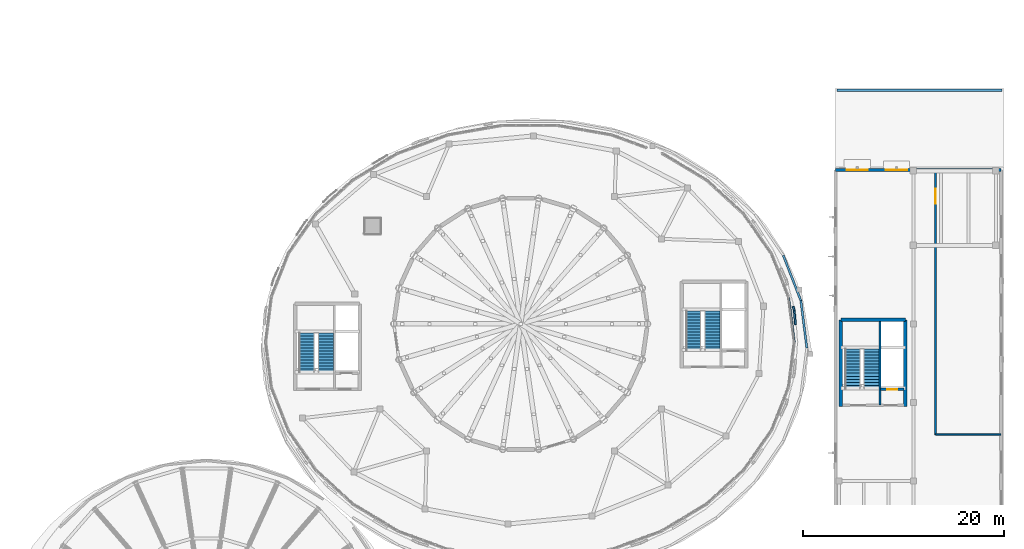
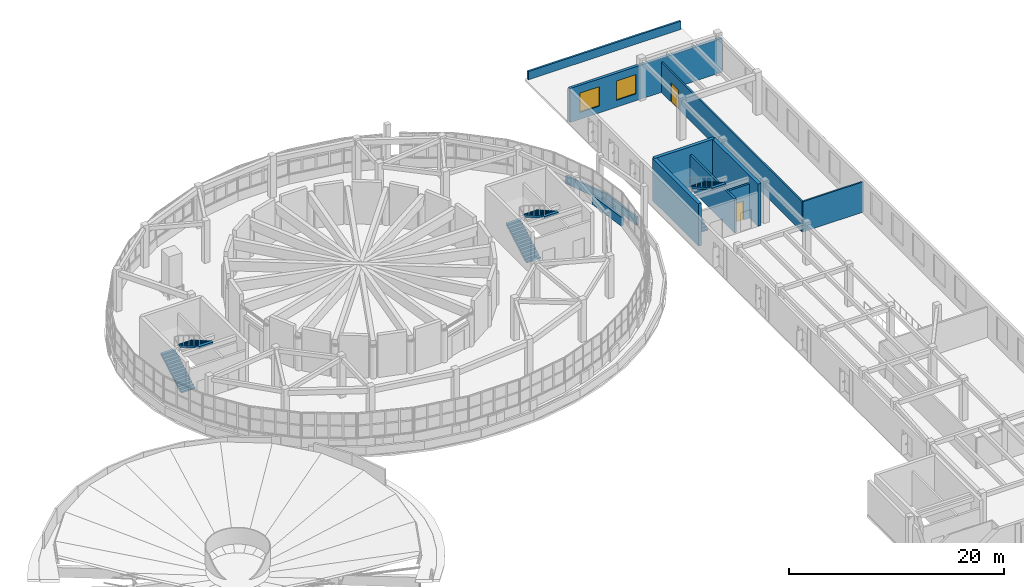
# One storey, part 63 of 69: 14 walls, 6 stair flights, 2 doors, 2 windows, 4 openings, 3 elements without a shape of their own.
"""IFC4 building model written with IfcOpenShell, lengths in metres."""

from ifc_helpers import new_model, si_unit, direction, frame, frame_2d, origin, place, context, subcontext, project, spatial, polyline, rectangle, outline, extrude, material, layer, layer_set, type_object, element, fill, aggregate, save


model = new_model("IFC4")

# Units and contexts
model_context = context("Model", 3, precision=1e-05, world=origin(), true_north=direction((0.0, 1.0)))
body_context = subcontext(model_context, "Body", "Model", "MODEL_VIEW")
ifc_project = project(units=[si_unit("LENGTHUNIT", "METRE"), si_unit("AREAUNIT", "SQUARE_METRE"), si_unit("VOLUMEUNIT", "CUBIC_METRE"), si_unit("PLANEANGLEUNIT", "RADIAN"), si_unit("MASSUNIT", "GRAM", prefix="KILO")], contexts=[model_context])

# Site, building, storey
site_placement = place(None, origin())
site = spatial("IfcSite", under=ifc_project, at=site_placement, CompositionType="ELEMENT")
building_placement = place(site_placement, origin())
building = spatial("IfcBuilding", under=site, at=building_placement, Name="Pelvatis Terrace Science Centre", CompositionType="ELEMENT")
storey_placement = place(building_placement, frame((0.0, 0.0, 15.0)))
storey = spatial("IfcBuildingStorey", under=building, at=storey_placement, Name="L03", CompositionType="ELEMENT", Elevation=15.0)

# Wall, openings, windows
ifc_material_1 = material(Name="Precast concrete C35/45 architectural stone", Category="masonry")
ifc_layer_1 = layer(ifc_material_1, 0.294921875)
ifc_layer_set_1 = layer_set([ifc_layer_1], Name="Precast concrete C35/45 architectural stone")
wall_type_1 = type_object("IfcWallType", Name="WL-EXT-PREC-295", PredefinedType="SOLIDWALL", material=ifc_layer_set_1)
wall_1_placement = place(storey_placement, frame((140.47998046875, 101.10009765625, 0.0), z_axis=(0.0, 0.0, 1.0), x_axis=(1.0, 0.0, 0.0)))
wall_1 = element("IfcWall", 1, at=wall_1_placement, inside=storey, type_object=wall_type_1, Name="Exterior classical Art Deco facade wall EW-L03-N", PredefinedType="SOLIDWALL", context=body_context, shape_type="SweptSolid", body=[
    extrude(rectangle(XDim=16.419921875, YDim=0.294921875, at=frame_2d((8.2099609375, 0.0))), origin(), (0.0, 0.0, 1.0), 3.8701171875),
])
opening_1_placement = place(wall_1_placement, frame((1.10009765625, 0.0, 0.780029296875)))
opening_1 = element("IfcOpeningElement", 2, at=opening_1_placement, cuts=wall_1, Name="Opening W-114", PredefinedType="OPENING", context=body_context, shape_type="SweptSolid", body=[
    extrude(rectangle(XDim=2.10009765625, YDim=2.199951171875, at=frame_2d((1.050048828125, 1.10009765625))), frame((0.0, 0.157470703125, 0.0), z_axis=(0.0, -1.0, 0.0), x_axis=(1.0, 0.0, 0.0)), (0.0, 0.0, 1.0), 0.31494140625),
])
opening_2_placement = place(wall_1_placement, frame((5.0, 0.0, 0.780029296875)))
opening_2 = element("IfcOpeningElement", 3, at=opening_2_placement, cuts=wall_1, Name="Opening W-115", PredefinedType="OPENING", context=body_context, shape_type="SweptSolid", body=[
    extrude(rectangle(XDim=2.10009765625, YDim=2.199951171875, at=frame_2d((1.050048828125, 1.10009765625))), frame((0.0, 0.157470703125, 0.0), z_axis=(0.0, -1.0, 0.0), x_axis=(1.0, 0.0, 0.0)), (0.0, 0.0, 1.0), 0.31494140625),
])
ifc_material_2 = material(Name="Bronze-anodised aluminium and laminated low-e glass", Category="aluminium")
window_type = type_object("IfcWindowType", Name="WIN-GAL-2100x2200", PartitioningType="SINGLE_PANEL", PredefinedType="WINDOW", material=ifc_material_2)
window_1_placement = place(opening_1_placement, origin())
window_1 = element("IfcWindow", 4, at=window_1_placement, inside=storey, type_object=window_type, Name="Art Deco facade window W-114 (L03)", OverallHeight=2.199951171875, OverallWidth=2.10009765625, PartitioningType="SINGLE_PANEL", PredefinedType="WINDOW", context=body_context, shape_type="SweptSolid", body=[
    extrude(rectangle(XDim=2.10009765625, YDim=2.199951171875, at=frame_2d((1.050048828125, 1.10009765625))), frame((0.0, 0.030029296875, 0.0), z_axis=(0.0, -1.0, 0.0), x_axis=(1.0, 0.0, 0.0)), (0.0, 0.0, 1.0), 0.06005859375),
])
fill(opening_1, window_1)
window_2_placement = place(opening_2_placement, origin())
window_2 = element("IfcWindow", 5, at=window_2_placement, inside=storey, type_object=window_type, Name="Art Deco facade window W-115 (L03)", OverallHeight=2.199951171875, OverallWidth=2.10009765625, PartitioningType="SINGLE_PANEL", PredefinedType="WINDOW", context=body_context, shape_type="SweptSolid", body=[
    extrude(rectangle(XDim=2.10009765625, YDim=2.199951171875, at=frame_2d((1.050048828125, 1.10009765625))), frame((0.0, 0.030029296875, 0.0), z_axis=(0.0, -1.0, 0.0), x_axis=(1.0, 0.0, 0.0)), (0.0, 0.0, 1.0), 0.06005859375),
])
fill(opening_2, window_2)

# Walls
ifc_material_3 = material(Name="White architectural precast concrete C40/50 spandrel", Category="concrete")
ifc_layer_2 = layer(ifc_material_3, 0.27490234375)
ifc_layer_set_2 = layer_set([ifc_layer_2], Name="White architectural precast concrete C40/50 spandrel")
wall_type_2 = type_object("IfcWallType", Name="WL-EXT-SPND-275", PredefinedType="SOLIDWALL", material=ifc_layer_set_2)
wall_2_placement = place(storey_placement, frame((136.35009765625, 84.0, 0.0), z_axis=(0.0, 0.0, 1.0), x_axis=(-0.126438143935, 0.991974493502, 0.0)))
element("IfcWall", 6, at=wall_2_placement, inside=storey, type_object=wall_type_2, Name="V1 white spiral spandrel band 01 (L03)", PredefinedType="SOLIDWALL", context=body_context, shape_type="SweptSolid", body=[
    extrude(rectangle(XDim=4.53759765625, YDim=0.27490234375, at=frame_2d((2.268798828125, 0.0))), origin(), (0.0, 0.0, 1.0), 1.02001953125),
])
ifc_material_4 = material(Name="Concrete C35/45 shaft dividing wall", Category="concrete")
ifc_layer_3 = layer(ifc_material_4, 0.2099609375)
ifc_layer_set_3 = layer_set([ifc_layer_3], Name="Concrete C35/45 shaft dividing wall")
wall_type_3 = type_object("IfcWallType", Name="WL-INT-CORE-210", PredefinedType="PARTITIONING", material=ifc_layer_set_3)
wall_3_placement = place(storey_placement, frame((144.89990234375, 77.75, 0.0), z_axis=(0.0, 0.0, 1.0), x_axis=(0.0, 1.0, 0.0)))
element("IfcWall", 7, at=wall_3_placement, inside=storey, type_object=wall_type_3, Name="Core C3 stair-lift shaft fire wall (L03)", PredefinedType="PARTITIONING", context=body_context, shape_type="SweptSolid", body=[
    extrude(rectangle(XDim=8.300048828125, YDim=0.2099609375, at=frame_2d((4.14990234375, 0.0))), origin(), (0.0, 0.0, 1.0), 3.8701171875),
])

# Wall, opening, door
ifc_material_5 = material(Name="Concrete C35/45 stair enclosure wall", Category="concrete")
ifc_layer_4 = layer(ifc_material_5, 0.22509765625)
ifc_layer_set_4 = layer_set([ifc_layer_4], Name="Concrete C35/45 stair enclosure wall")
wall_type_4 = type_object("IfcWallType", Name="WL-INT-CORE-225", PredefinedType="PARTITIONING", material=ifc_layer_set_4)
wall_4_placement = place(storey_placement, frame((144.949951171875, 79.300048828125, 0.0), z_axis=(0.0, 0.0, 1.0), x_axis=(1.0, 0.0, 0.0)))
wall_4 = element("IfcWall", 8, at=wall_4_placement, inside=storey, type_object=wall_type_4, Name="Core C3 lift shaft landing wall (L03)", PredefinedType="PARTITIONING", context=body_context, shape_type="SweptSolid", body=[
    extrude(rectangle(XDim=2.300048828125, YDim=0.22509765625, at=frame_2d((1.14990234375, 0.0))), origin(), (0.0, 0.0, 1.0), 3.8701171875),
])
opening_3_placement = place(wall_4_placement, frame((0.64990234375, 0.0, 0.0)))
opening_3 = element("IfcOpeningElement", 9, at=opening_3_placement, cuts=wall_4, Name="Opening LD-C3-5", PredefinedType="OPENING", context=body_context, shape_type="SweptSolid", body=[
    extrude(rectangle(XDim=1.0, YDim=2.14990234375, at=frame_2d((0.5, 1.074951171875))), frame((0.0, 0.12255859375, 0.0), z_axis=(0.0, -1.0, 0.0), x_axis=(1.0, 0.0, 0.0)), (0.0, 0.0, 1.0), 0.2451171875),
])
ifc_material_6 = material(Name="Bronze-clad sliding passenger lift landing door", Category="steel")
door_type_1 = type_object("IfcDoorType", Name="DR-LIFT-1000x2150", OperationType="NOTDEFINED", PredefinedType="DOOR", material=ifc_material_6)
door_1_placement = place(opening_3_placement, origin())
door_1 = element("IfcDoor", 10, at=door_1_placement, inside=storey, type_object=door_type_1, Name="Lift LF-05 sliding landing door (L03)", OperationType="SLIDING_TO_LEFT", OverallHeight=2.14990234375, OverallWidth=1.0, PredefinedType="DOOR", context=body_context, shape_type="SweptSolid", body=[
    extrude(rectangle(XDim=1.0, YDim=2.14990234375, at=frame_2d((0.5, 1.074951171875))), frame((0.0, 0.02490234375, 0.0), z_axis=(0.0, -1.0, 0.0), x_axis=(1.0, 0.0, 0.0)), (0.0, 0.0, 1.0), 0.050048828125),
])
fill(opening_3, door_1)

# Wall
ifc_material_7 = material(Name="Dry studio acoustic partition", Category="masonry")
ifc_layer_5 = layer(ifc_material_7, 0.1650390625)
ifc_layer_set_5 = layer_set([ifc_layer_5], Name="Dry studio acoustic partition")
wall_type_5 = type_object("IfcWallType", Name="WL-INT-LAB-165", PredefinedType="PARTITIONING", material=ifc_layer_set_5)
wall_5_placement = place(storey_placement, frame((150.39990234375, 74.800048828125, 0.0), z_axis=(0.0, 0.0, 1.0), x_axis=(1.0, 0.0, 0.0)))
element("IfcWall", 11, at=wall_5_placement, inside=storey, type_object=wall_type_5, Name="Curatorial Research Offices and Exhibit Design Studio partition wall S", PredefinedType="PARTITIONING", context=body_context, shape_type="SweptSolid", body=[
    extrude(rectangle(XDim=6.5, YDim=0.1650390625, at=frame_2d((3.25, 0.0))), origin(), (0.0, 0.0, 1.0), 3.449951171875),
])

# Wall, opening, door
wall_6_placement = place(storey_placement, frame((150.39990234375, 101.10009765625, 0.0), z_axis=(0.0, 0.0, 1.0), x_axis=(0.0, -1.0, 0.0)))
wall_6 = element("IfcWall", 12, at=wall_6_placement, inside=storey, type_object=wall_type_5, Name="Curatorial Research Offices and Exhibit Design Studio partition wall W", PredefinedType="PARTITIONING", context=body_context, shape_type="SweptSolid", body=[
    extrude(rectangle(XDim=26.300048828125, YDim=0.1650390625, at=frame_2d((13.14990234375, 0.0))), origin(), (0.0, 0.0, 1.0), 3.449951171875),
])
opening_4_placement = place(wall_6_placement, frame((1.903076171875, 0.0, 0.0)))
opening_4 = element("IfcOpeningElement", 13, at=opening_4_placement, cuts=wall_6, Name="Opening D-212", PredefinedType="OPENING", context=body_context, shape_type="SweptSolid", body=[
    extrude(rectangle(XDim=1.449951171875, YDim=2.199951171875, at=frame_2d((0.72509765625, 1.10009765625))), frame((0.0, 0.092529296875, 0.0), z_axis=(0.0, -1.0, 0.0), x_axis=(1.0, 0.0, 0.0)), (0.0, 0.0, 1.0), 0.18505859375),
])
ifc_material_8 = material(Name="Leaf-and-a-half dry studio door", Category="wood")
door_type_2 = type_object("IfcDoorType", Name="DR-LAB-1450x2200", OperationType="NOTDEFINED", PredefinedType="DOOR", material=ifc_material_8)
door_2_placement = place(opening_4_placement, origin())
door_2 = element("IfcDoor", 14, at=door_2_placement, inside=storey, type_object=door_type_2, Name="Curatorial Research Offices and Exhibit Design Studio entrance door", OperationType="SINGLE_SWING_LEFT", OverallHeight=2.199951171875, OverallWidth=1.449951171875, PredefinedType="DOOR", context=body_context, shape_type="SweptSolid", body=[
    extrude(rectangle(XDim=1.449951171875, YDim=2.199951171875, at=frame_2d((0.72509765625, 1.10009765625))), frame((0.0, 0.02490234375, 0.0), z_axis=(0.0, -1.0, 0.0), x_axis=(1.0, 0.0, 0.0)), (0.0, 0.0, 1.0), 0.050048828125),
])
fill(opening_4, door_2)

# Walls
ifc_material_9 = material(Name="White architectural precast concrete C40/50 spandrel parapet", Category="concrete")
ifc_layer_6 = layer(ifc_material_9, 0.18994140625)
ifc_layer_set_6 = layer_set([ifc_layer_6], Name="White architectural precast concrete C40/50 spandrel parapet")
wall_type_6 = type_object("IfcWallType", Name="WL-PAR-190", PredefinedType="PARAPET", material=ifc_layer_set_6)
wall_7_placement = place(storey_placement, frame((136.259033203125, 87.542724609375, 0.0), z_axis=(0.0, 0.0, 1.0), x_axis=(0.25449329928, -0.967074537263, 0.0)))
element("IfcWall", 15, at=wall_7_placement, inside=storey, type_object=wall_type_6, Name="Perimeter edge closure parapet PW-EDG-L03-356", PredefinedType="PARAPET", context=body_context, shape_type="SweptSolid", body=[
    extrude(rectangle(XDim=0.4365234375, YDim=0.18994140625, at=frame_2d((0.21826171875, 0.0))), origin(), (0.0, 0.0, 1.0), 1.1201171875),
])
wall_8_placement = place(storey_placement, frame((136.3701171875, 87.12060546875, 0.0), z_axis=(0.0, 0.0, 1.0), x_axis=(0.086013495657, -0.996293971961, 0.0)))
element("IfcWall", 16, at=wall_8_placement, inside=storey, type_object=wall_type_6, Name="Perimeter edge closure parapet PW-EDG-L03-357", PredefinedType="PARAPET", context=body_context, shape_type="SweptSolid", body=[
    extrude(rectangle(XDim=1.402099609375, YDim=0.18994140625, at=frame_2d((0.701171875, 0.0))), origin(), (0.0, 0.0, 1.0), 1.1201171875),
])
ifc_material_10 = material(Name="White architectural precast concrete C40/50 spandrel parapet", Category="concrete")
ifc_layer_7 = layer(ifc_material_10, 0.205078125)
ifc_layer_set_7 = layer_set([ifc_layer_7], Name="White architectural precast concrete C40/50 spandrel parapet")
wall_type_7 = type_object("IfcWallType", Name="WL-PAR-205", PredefinedType="PARAPET", material=ifc_layer_set_7)
wall_9_placement = place(storey_placement, frame((137.6201171875, 83.39990234375, 0.0), z_axis=(0.0, 0.0, 1.0), x_axis=(-0.124592562567, 0.992207988958, 0.0)))
element("IfcWall", 17, at=wall_9_placement, inside=storey, type_object=wall_type_7, Name="White spiral ring parapet PW-CRV-L03-075", PredefinedType="PARAPET", context=body_context, shape_type="SweptSolid", body=[
    extrude(rectangle(XDim=4.739990234375, YDim=0.205078125, at=frame_2d((2.3701171875, 0.0))), origin(), (0.0, 0.0, 1.0), 0.919921875),
])
wall_10_placement = place(storey_placement, frame((137.029541015625, 88.10302734375, 0.0), z_axis=(0.0, 0.0, 1.0), x_axis=(-0.361842966646, 0.93223906134, 0.0)))
element("IfcWall", 18, at=wall_10_placement, inside=storey, type_object=wall_type_7, Name="White spiral ring parapet PW-CRV-L03-076", PredefinedType="PARAPET", context=body_context, shape_type="SweptSolid", body=[
    extrude(rectangle(XDim=4.82421875, YDim=0.205078125, at=frame_2d((2.412109375, 0.0))), origin(), (0.0, 0.0, 1.0), 0.919921875),
])
wall_11_placement = place(storey_placement, frame((140.60009765625, 109.0, 0.0), z_axis=(0.0, 0.0, 1.0), x_axis=(1.0, 0.0, 0.0)))
element("IfcWall", 19, at=wall_11_placement, inside=storey, type_object=wall_type_7, Name="Classical cornice parapet PW-L03-2", PredefinedType="PARAPET", context=body_context, shape_type="SweptSolid", body=[
    extrude(rectangle(XDim=16.39990234375, YDim=0.205078125, at=frame_2d((8.199951171875, 0.0))), origin(), (0.0, 0.0, 1.0), 0.949951171875),
])
ifc_material_11 = material(Name="Concrete C40/50", Category="concrete")
ifc_layer_8 = layer(ifc_material_11, 0.35009765625)
ifc_layer_set_8 = layer_set([ifc_layer_8], Name="Concrete C40/50")
wall_type_8 = type_object("IfcWallType", Name="WL-SHR-350", PredefinedType="SHEAR", material=ifc_layer_set_8)
wall_12_placement = place(storey_placement, frame((141.0, 86.199951171875, 0.0), z_axis=(0.0, 0.0, 1.0), x_axis=(1.0, 0.0, 0.0)))
element("IfcWall", 20, at=wall_12_placement, inside=storey, type_object=wall_type_8, Name="Core C3 shear wall N (L03)", PredefinedType="SHEAR", context=body_context, shape_type="SweptSolid", body=[
    extrude(rectangle(XDim=6.39990234375, YDim=0.35009765625, at=frame_2d((3.199951171875, 0.0))), origin(), (0.0, 0.0, 1.0), 4.800048828125),
])
for number, where, z_axis, x_axis, name in (
    (21, (141.0, 77.60009765625, 0.0), (0.0, 0.0, 1.0), (0.0, 1.0, 0.0), "Core C3 shear wall W (L03)"),
    (22, (147.39990234375, 77.60009765625, 0.0), (0.0, 0.0, 1.0), (0.0, 1.0, 0.0), "Core C3 shear wall E (L03)"),
):
    element("IfcWall", number, at=place(storey_placement, frame(where, z_axis=z_axis, x_axis=x_axis)), inside=storey, type_object=wall_type_8, Name=name, PredefinedType="SHEAR", context=body_context, shape_type="SweptSolid", body=[
        extrude(rectangle(XDim=8.599853515625, YDim=0.35009765625, at=frame_2d((4.2998046875, 0.0))), origin(), (0.0, 0.0, 1.0), 4.800048828125),
    ])

# Stair, stair flights
ifc_material_12 = material(Name="Concrete C35/45", Category="concrete")
stair_type = type_object("IfcStairType", Name="STR-2RUN-1500-48", PredefinedType="TWO_STRAIGHT_RUN_STAIR", material=ifc_material_12)
stair_1_placement = place(storey_placement, origin())
stair_1 = element("IfcStair", 23, at=stair_1_placement, inside=storey, type_object=stair_type, Name="Protected core stair ST-01-L03", PredefinedType="TWO_STRAIGHT_RUN_STAIR")
ifc_material_13 = material(Name="Concrete C35/45", Category="concrete")
ifc_layer_9 = layer(ifc_material_13, 0.179931640625)
ifc_layer_set_9 = layer_set([ifc_layer_9], Name="Concrete C35/45")
stair_flight_type = type_object("IfcStairFlightType", Name="SFL-RC-1500", PredefinedType="STRAIGHT", material=ifc_layer_set_9)
stair_flight_1_placement = place(storey_placement, frame((87.949951171875, 81.0, 0.0), z_axis=(0.0, 0.0, 1.0), x_axis=(0.0, 1.0, 0.0)))
stair_flight_1 = element("IfcStairFlight", 24, at=stair_flight_1_placement, type_object=stair_flight_type, Name="ST-01-L03 flight 1", NumberOfRisers=14, NumberOfTreads=13, PredefinedType="STRAIGHT", RiserHeight=0.171428571, TreadLength=0.3, context=body_context, shape_type="SweptSolid", body=[
    extrude(outline(polyline([(0.0, 0.0), (0.0, 0.17138671875), (0.300048828125, 0.17138671875), (0.300048828125, 0.3427734375), (0.60009765625, 0.3427734375), (0.60009765625, 0.514404296875), (0.89990234375, 0.514404296875), (0.89990234375, 0.685791015625), (1.199951171875, 0.685791015625), (1.199951171875, 0.857177734375), (1.5, 0.857177734375), (1.5, 1.028564453125), (1.800048828125, 1.028564453125), (1.800048828125, 1.199951171875), (2.10009765625, 1.199951171875), (2.10009765625, 1.371337890625), (2.39990234375, 1.371337890625), (2.39990234375, 1.54296875), (2.699951171875, 1.54296875), (2.699951171875, 1.71435546875), (3.0, 1.71435546875), (3.0, 1.8857421875), (3.300048828125, 1.8857421875), (3.300048828125, 2.05712890625), (3.60009765625, 2.05712890625), (3.60009765625, 2.228515625), (3.89990234375, 2.228515625), (3.89990234375, 2.39990234375), (3.89990234375, 2.021240234375), (0.362548828125, 0.0), (0.0, 0.0)])), frame((0.0, 0.75, 0.0), z_axis=(0.0, -1.0, 0.0), x_axis=(1.0, 0.0, 0.0)), (0.0, 0.0, 1.0), 1.5),
])
stair_flight_2_placement = place(storey_placement, frame((89.85009765625, 84.89990234375, 2.39990234375), z_axis=(0.0, 0.0, 1.0), x_axis=(0.0, -1.0, 0.0)))
stair_flight_2 = element("IfcStairFlight", 25, at=stair_flight_2_placement, type_object=stair_flight_type, Name="ST-01-L03 flight 2", NumberOfRisers=14, NumberOfTreads=13, PredefinedType="STRAIGHT", RiserHeight=0.171428571, TreadLength=0.3, context=body_context, shape_type="SweptSolid", body=[
    extrude(outline(polyline([(0.0, 0.0), (0.0, 0.17138671875), (0.300048828125, 0.17138671875), (0.300048828125, 0.3427734375), (0.60009765625, 0.3427734375), (0.60009765625, 0.514404296875), (0.89990234375, 0.514404296875), (0.89990234375, 0.685791015625), (1.199951171875, 0.685791015625), (1.199951171875, 0.857177734375), (1.5, 0.857177734375), (1.5, 1.028564453125), (1.800048828125, 1.028564453125), (1.800048828125, 1.199951171875), (2.10009765625, 1.199951171875), (2.10009765625, 1.371337890625), (2.39990234375, 1.371337890625), (2.39990234375, 1.54296875), (2.699951171875, 1.54296875), (2.699951171875, 1.71435546875), (3.0, 1.71435546875), (3.0, 1.8857421875), (3.300048828125, 1.8857421875), (3.300048828125, 2.05712890625), (3.60009765625, 2.05712890625), (3.60009765625, 2.228515625), (3.89990234375, 2.228515625), (3.89990234375, 2.39990234375), (3.89990234375, 2.021240234375), (0.362548828125, 0.0), (0.0, 0.0)])), frame((0.0, 0.75, 0.0), z_axis=(0.0, -1.0, 0.0), x_axis=(1.0, 0.0, 0.0)), (0.0, 0.0, 1.0), 1.5),
])
aggregate(stair_1, [stair_flight_1, stair_flight_2])

stair_2_placement = place(storey_placement, origin())
stair_2 = element("IfcStair", 26, at=stair_2_placement, inside=storey, type_object=stair_type, Name="Protected core stair ST-02-L03", PredefinedType="TWO_STRAIGHT_RUN_STAIR")
stair_flight_3_placement = place(storey_placement, frame((126.35009765625, 83.199951171875, 0.0), z_axis=(0.0, 0.0, 1.0), x_axis=(0.0, 1.0, 0.0)))
stair_flight_3 = element("IfcStairFlight", 27, at=stair_flight_3_placement, type_object=stair_flight_type, Name="ST-02-L03 flight 1", NumberOfRisers=14, NumberOfTreads=13, PredefinedType="STRAIGHT", RiserHeight=0.171428571, TreadLength=0.3, context=body_context, shape_type="SweptSolid", body=[
    extrude(outline(polyline([(0.0, 0.0), (0.0, 0.17138671875), (0.300048828125, 0.17138671875), (0.300048828125, 0.3427734375), (0.60009765625, 0.3427734375), (0.60009765625, 0.514404296875), (0.89990234375, 0.514404296875), (0.89990234375, 0.685791015625), (1.199951171875, 0.685791015625), (1.199951171875, 0.857177734375), (1.5, 0.857177734375), (1.5, 1.028564453125), (1.800048828125, 1.028564453125), (1.800048828125, 1.199951171875), (2.10009765625, 1.199951171875), (2.10009765625, 1.371337890625), (2.39990234375, 1.371337890625), (2.39990234375, 1.54296875), (2.699951171875, 1.54296875), (2.699951171875, 1.71435546875), (3.0, 1.71435546875), (3.0, 1.8857421875), (3.300048828125, 1.8857421875), (3.300048828125, 2.05712890625), (3.60009765625, 2.05712890625), (3.60009765625, 2.228515625), (3.89990234375, 2.228515625), (3.89990234375, 2.39990234375), (3.89990234375, 2.021240234375), (0.362548828125, 0.0), (0.0, 0.0)])), frame((0.0, 0.75, 0.0), z_axis=(0.0, -1.0, 0.0), x_axis=(1.0, 0.0, 0.0)), (0.0, 0.0, 1.0), 1.5),
])
stair_flight_4_placement = place(storey_placement, frame((128.25, 87.10009765625, 2.39990234375), z_axis=(0.0, 0.0, 1.0), x_axis=(0.0, -1.0, 0.0)))
stair_flight_4 = element("IfcStairFlight", 28, at=stair_flight_4_placement, type_object=stair_flight_type, Name="ST-02-L03 flight 2", NumberOfRisers=14, NumberOfTreads=13, PredefinedType="STRAIGHT", RiserHeight=0.171428571, TreadLength=0.3, context=body_context, shape_type="SweptSolid", body=[
    extrude(outline(polyline([(0.0, 0.0), (0.0, 0.17138671875), (0.300048828125, 0.17138671875), (0.300048828125, 0.3427734375), (0.60009765625, 0.3427734375), (0.60009765625, 0.514404296875), (0.89990234375, 0.514404296875), (0.89990234375, 0.685791015625), (1.199951171875, 0.685791015625), (1.199951171875, 0.857177734375), (1.5, 0.857177734375), (1.5, 1.028564453125), (1.800048828125, 1.028564453125), (1.800048828125, 1.199951171875), (2.10009765625, 1.199951171875), (2.10009765625, 1.371337890625), (2.39990234375, 1.371337890625), (2.39990234375, 1.54296875), (2.699951171875, 1.54296875), (2.699951171875, 1.71435546875), (3.0, 1.71435546875), (3.0, 1.8857421875), (3.300048828125, 1.8857421875), (3.300048828125, 2.05712890625), (3.60009765625, 2.05712890625), (3.60009765625, 2.228515625), (3.89990234375, 2.228515625), (3.89990234375, 2.39990234375), (3.89990234375, 2.021240234375), (0.362548828125, 0.0), (0.0, 0.0)])), frame((0.0, 0.75, 0.0), z_axis=(0.0, -1.0, 0.0), x_axis=(1.0, 0.0, 0.0)), (0.0, 0.0, 1.0), 1.5),
])
aggregate(stair_2, [stair_flight_3, stair_flight_4])

stair_3_placement = place(storey_placement, origin())
stair_3 = element("IfcStair", 29, at=stair_3_placement, inside=storey, type_object=stair_type, Name="Protected core stair ST-03-L03", PredefinedType="TWO_STRAIGHT_RUN_STAIR")
stair_flight_5_placement = place(storey_placement, frame((142.14990234375, 79.39990234375, 0.0), z_axis=(0.0, 0.0, 1.0), x_axis=(0.0, 1.0, 0.0)))
stair_flight_5 = element("IfcStairFlight", 30, at=stair_flight_5_placement, type_object=stair_flight_type, Name="ST-03-L03 flight 1", NumberOfRisers=14, NumberOfTreads=13, PredefinedType="STRAIGHT", RiserHeight=0.171428571, TreadLength=0.3, context=body_context, shape_type="SweptSolid", body=[
    extrude(outline(polyline([(0.0, 0.0), (0.0, 0.17138671875), (0.300048828125, 0.17138671875), (0.300048828125, 0.3427734375), (0.60009765625, 0.3427734375), (0.60009765625, 0.514404296875), (0.89990234375, 0.514404296875), (0.89990234375, 0.685791015625), (1.199951171875, 0.685791015625), (1.199951171875, 0.857177734375), (1.5, 0.857177734375), (1.5, 1.028564453125), (1.800048828125, 1.028564453125), (1.800048828125, 1.199951171875), (2.10009765625, 1.199951171875), (2.10009765625, 1.371337890625), (2.39990234375, 1.371337890625), (2.39990234375, 1.54296875), (2.699951171875, 1.54296875), (2.699951171875, 1.71435546875), (3.0, 1.71435546875), (3.0, 1.8857421875), (3.300048828125, 1.8857421875), (3.300048828125, 2.05712890625), (3.60009765625, 2.05712890625), (3.60009765625, 2.228515625), (3.89990234375, 2.228515625), (3.89990234375, 2.39990234375), (3.89990234375, 2.021240234375), (0.362548828125, 0.0), (0.0, 0.0)])), frame((0.0, 0.75, 0.0), z_axis=(0.0, -1.0, 0.0), x_axis=(1.0, 0.0, 0.0)), (0.0, 0.0, 1.0), 1.5),
])
stair_flight_6_placement = place(storey_placement, frame((144.050048828125, 83.300048828125, 2.39990234375), z_axis=(0.0, 0.0, 1.0), x_axis=(0.0, -1.0, 0.0)))
stair_flight_6 = element("IfcStairFlight", 31, at=stair_flight_6_placement, type_object=stair_flight_type, Name="ST-03-L03 flight 2", NumberOfRisers=14, NumberOfTreads=13, PredefinedType="STRAIGHT", RiserHeight=0.171428571, TreadLength=0.3, context=body_context, shape_type="SweptSolid", body=[
    extrude(outline(polyline([(0.0, 0.0), (0.0, 0.17138671875), (0.300048828125, 0.17138671875), (0.300048828125, 0.3427734375), (0.60009765625, 0.3427734375), (0.60009765625, 0.514404296875), (0.89990234375, 0.514404296875), (0.89990234375, 0.685791015625), (1.199951171875, 0.685791015625), (1.199951171875, 0.857177734375), (1.5, 0.857177734375), (1.5, 1.028564453125), (1.800048828125, 1.028564453125), (1.800048828125, 1.199951171875), (2.10009765625, 1.199951171875), (2.10009765625, 1.371337890625), (2.39990234375, 1.371337890625), (2.39990234375, 1.54296875), (2.699951171875, 1.54296875), (2.699951171875, 1.71435546875), (3.0, 1.71435546875), (3.0, 1.8857421875), (3.300048828125, 1.8857421875), (3.300048828125, 2.05712890625), (3.60009765625, 2.05712890625), (3.60009765625, 2.228515625), (3.89990234375, 2.228515625), (3.89990234375, 2.39990234375), (3.89990234375, 2.021240234375), (0.362548828125, 0.0), (0.0, 0.0)])), frame((0.0, 0.75, 0.0), z_axis=(0.0, -1.0, 0.0), x_axis=(1.0, 0.0, 0.0)), (0.0, 0.0, 1.0), 1.5),
])
aggregate(stair_3, [stair_flight_5, stair_flight_6])

save(model, "model.ifc")
